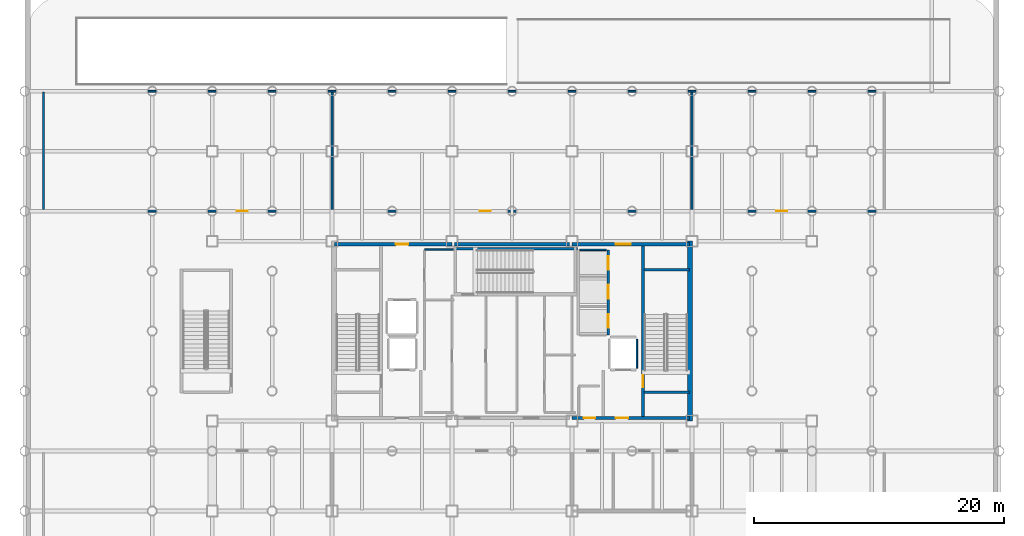
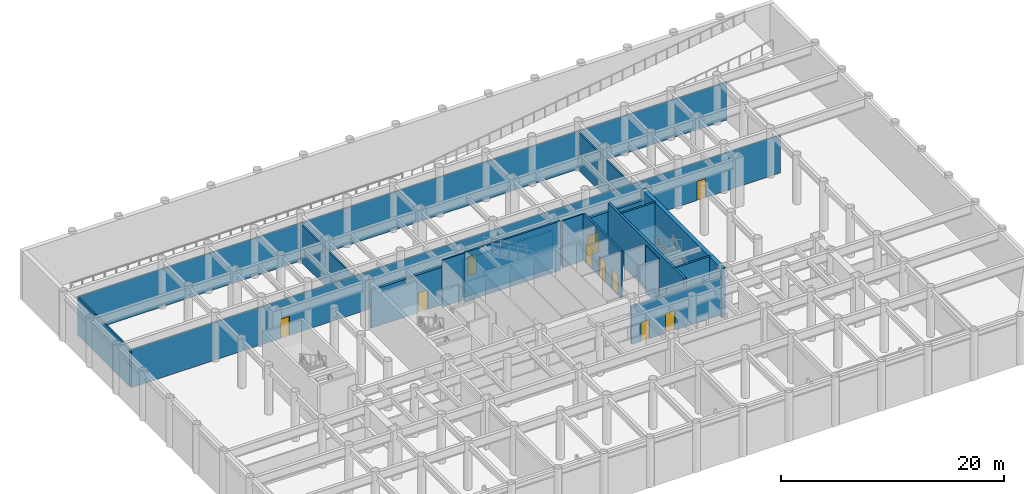
# One storey, part 11 of 16: 18 walls, 11 doors, 11 openings.
"""IFC4 building model written with IfcOpenShell, lengths in metres."""

from ifc_helpers import new_model, si_unit, direction, frame, frame_2d, origin, place, context, subcontext, project, spatial, rectangle, extrude, material, layer, layer_set, type_object, element, fill, save


model = new_model("IFC4")

# Units and contexts
model_context = context("Model", 3, precision=1e-05, world=origin(), true_north=direction((0.0, 1.0)))
body_context = subcontext(model_context, "Body", "Model", "MODEL_VIEW")
ifc_project = project(units=[si_unit("LENGTHUNIT", "METRE"), si_unit("AREAUNIT", "SQUARE_METRE"), si_unit("VOLUMEUNIT", "CUBIC_METRE"), si_unit("PLANEANGLEUNIT", "RADIAN"), si_unit("MASSUNIT", "GRAM", prefix="KILO")], contexts=[model_context])

# Site, building, storey
site_placement = place(None, origin())
site = spatial("IfcSite", under=ifc_project, at=site_placement, CompositionType="ELEMENT")
building_placement = place(site_placement, origin())
building = spatial("IfcBuilding", under=site, at=building_placement, Name="Kallvorn Hotel Tower", CompositionType="ELEMENT")
storey_placement = place(building_placement, frame((0.0, 0.0, -5.39990234375)))
storey = spatial("IfcBuildingStorey", under=building, at=storey_placement, Name="B1", CompositionType="ELEMENT", Elevation=-5.39990234375)

# Walls
ifc_material_1 = material(Name="Concrete C50/60", Category="concrete")
ifc_layer_1 = layer(ifc_material_1, 0.39990234375)
ifc_layer_set_1 = layer_set([ifc_layer_1], Name="WL_CORE_400")
wall_type_1 = type_object("IfcWallType", Name="WL_CORE_400", PredefinedType="SHEAR", material=ifc_layer_set_1)
wall_1_placement = place(storey_placement, frame((14.264892578125, -7.199951171875, -0.25), z_axis=(0.0, 0.0, 1.0), x_axis=(0.0, 1.0, 0.0)))
element("IfcWall", 1, at=wall_1_placement, inside=storey, type_object=wall_type_1, Name="B1 Core East Shear Wall", PredefinedType="SHEAR", context=body_context, shape_type="SweptSolid", body=[
    extrude(rectangle(XDim=14.39990234375, YDim=0.39990234375, at=frame_2d((7.199951171875, 0.0))), origin(), (0.0, 0.0, 1.0), 5.39990234375),
])
ifc_material_2 = material(Name="Concrete C40/50", Category="concrete")
ifc_layer_2 = layer(ifc_material_2, 0.199951171875)
ifc_layer_set_2 = layer_set([ifc_layer_2], Name="WL_HOIST_200")
wall_type_2 = type_object("IfcWallType", Name="WL_HOIST_200", PredefinedType="SOLIDWALL", material=ifc_layer_set_2)
for number, where, z_axis, x_axis, name in (
    (2, (10.550048828125, -4.89990234375, -0.25), (0.0, 0.0, 1.0), (1.0, 0.0, 0.0), "B1 Stair ST2 South Wall"),
    (3, (10.550048828125, 4.89990234375, -0.25), (0.0, 0.0, 1.0), (1.0, 0.0, 0.0), "B1 Stair ST2 North Wall"),
):
    element("IfcWall", number, at=place(storey_placement, frame(where, z_axis=z_axis, x_axis=x_axis)), inside=storey, type_object=wall_type_2, Name=name, PredefinedType="SOLIDWALL", context=body_context, shape_type="SweptSolid", body=[
        extrude(rectangle(XDim=3.64990234375, YDim=0.199951171875, at=frame_2d((1.824951171875, 0.0))), origin(), (0.0, 0.0, 1.0), 5.39990234375),
    ])
wall_2_placement = place(storey_placement, frame((-4.64990234375, 6.610107421875, -0.25), z_axis=(0.0, 0.0, 1.0), x_axis=(1.0, 0.0, 0.0)))
element("IfcWall", 4, at=wall_2_placement, inside=storey, type_object=wall_type_2, Name="B1 Stair ST3 Shaft North Wall", PredefinedType="SOLIDWALL", context=body_context, shape_type="SweptSolid", body=[
    extrude(rectangle(XDim=9.89990234375, YDim=0.199951171875, at=frame_2d((4.949951171875, 0.0))), origin(), (0.0, 0.0, 1.0), 5.39990234375),
])

# Wall, openings, doors
wall_3_placement = place(storey_placement, frame((7.699951171875, -0.300048828125, 0.0), z_axis=(0.0, 0.0, 1.0), x_axis=(0.0, 1.0, 0.0)))
wall_3 = element("IfcWall", 5, at=wall_3_placement, inside=storey, type_object=wall_type_2, Name="B1 Lift Bank OBS Landing Wall", PredefinedType="SOLIDWALL", context=body_context, shape_type="SweptSolid", body=[
    extrude(rectangle(XDim=6.800048828125, YDim=0.199951171875, at=frame_2d((3.39990234375, 0.0))), origin(), (0.0, 0.0, 1.0), 5.14990234375),
])
opening_1_placement = place(wall_3_placement, frame((0.550048828125, 0.0, 0.0)))
opening_1 = element("IfcOpeningElement", 6, at=opening_1_placement, cuts=wall_3, Name="Opening LD-OB-01", PredefinedType="OPENING", context=body_context, shape_type="SweptSolid", body=[
    extrude(rectangle(XDim=1.10009765625, YDim=2.199951171875, at=frame_2d((0.550048828125, 1.10009765625))), frame((0.0, 0.114990234375, 0.0), z_axis=(0.0, -1.0, 0.0), x_axis=(1.0, 0.0, 0.0)), (0.0, 0.0, 1.0), 0.22998046875),
])
opening_2_placement = place(wall_3_placement, frame((2.89990234375, 0.0, 0.0)))
opening_2 = element("IfcOpeningElement", 7, at=opening_2_placement, cuts=wall_3, Name="Opening LD-OB-02", PredefinedType="OPENING", context=body_context, shape_type="SweptSolid", body=[
    extrude(rectangle(XDim=1.10009765625, YDim=2.199951171875, at=frame_2d((0.550048828125, 1.10009765625))), frame((0.0, 0.114990234375, 0.0), z_axis=(0.0, -1.0, 0.0), x_axis=(1.0, 0.0, 0.0)), (0.0, 0.0, 1.0), 0.22998046875),
])
opening_3_placement = place(wall_3_placement, frame((5.199951171875, 0.0, 0.0)))
opening_3 = element("IfcOpeningElement", 8, at=opening_3_placement, cuts=wall_3, Name="Opening LD-OB-03", PredefinedType="OPENING", context=body_context, shape_type="SweptSolid", body=[
    extrude(rectangle(XDim=1.10009765625, YDim=2.199951171875, at=frame_2d((0.550048828125, 1.10009765625))), frame((0.0, 0.114990234375, 0.0), z_axis=(0.0, -1.0, 0.0), x_axis=(1.0, 0.0, 0.0)), (0.0, 0.0, 1.0), 0.22998046875),
])
ifc_material_3 = material(Name="Brushed stainless-steel automatic sliding lift landing door", Category="steel")
door_type_1 = type_object("IfcDoorType", Name="LD_PASS_1100x2200", OperationType="SLIDING_TO_LEFT", PredefinedType="DOOR", material=ifc_material_3)
door_1_placement = place(opening_1_placement, origin())
door_1 = element("IfcDoor", 9, at=door_1_placement, inside=storey, type_object=door_type_1, Name="B1 Lift Landing Sliding Door LD-OB-01", OperationType="SLIDING_TO_LEFT", OverallHeight=2.199951171875, OverallWidth=1.10009765625, PredefinedType="DOOR", context=body_context, shape_type="SweptSolid", body=[
    extrude(rectangle(XDim=1.10009765625, YDim=2.199951171875, at=frame_2d((0.550048828125, 1.10009765625))), frame((0.0, 0.02490234375, 0.0), z_axis=(0.0, -1.0, 0.0), x_axis=(1.0, 0.0, 0.0)), (0.0, 0.0, 1.0), 0.050048828125),
])
fill(opening_1, door_1)
door_2_placement = place(opening_2_placement, origin())
door_2 = element("IfcDoor", 10, at=door_2_placement, inside=storey, type_object=door_type_1, Name="B1 Lift Landing Sliding Door LD-OB-02", OperationType="SLIDING_TO_LEFT", OverallHeight=2.199951171875, OverallWidth=1.10009765625, PredefinedType="DOOR", context=body_context, shape_type="SweptSolid", body=[
    extrude(rectangle(XDim=1.10009765625, YDim=2.199951171875, at=frame_2d((0.550048828125, 1.10009765625))), frame((0.0, 0.02490234375, 0.0), z_axis=(0.0, -1.0, 0.0), x_axis=(1.0, 0.0, 0.0)), (0.0, 0.0, 1.0), 0.050048828125),
])
fill(opening_2, door_2)
door_3_placement = place(opening_3_placement, origin())
door_3 = element("IfcDoor", 11, at=door_3_placement, inside=storey, type_object=door_type_1, Name="B1 Lift Landing Sliding Door LD-OB-03", OperationType="SLIDING_TO_LEFT", OverallHeight=2.199951171875, OverallWidth=1.10009765625, PredefinedType="DOOR", context=body_context, shape_type="SweptSolid", body=[
    extrude(rectangle(XDim=1.10009765625, YDim=2.199951171875, at=frame_2d((0.550048828125, 1.10009765625))), frame((0.0, 0.02490234375, 0.0), z_axis=(0.0, -1.0, 0.0), x_axis=(1.0, 0.0, 0.0)), (0.0, 0.0, 1.0), 0.050048828125),
])
fill(opening_3, door_3)

# Walls
ifc_material_4 = material(Name="Fire-rated double-layer acoustic gypsum drywall EI 60")
ifc_layer_3 = layer(ifc_material_4, 0.1201171875)
ifc_layer_set_3 = layer_set([ifc_layer_3], Name="WL_INT_120")
wall_type_3 = type_object("IfcWallType", Name="WL_INT_120", PredefinedType="PARTITIONING", material=ifc_layer_set_3)
wall_4_placement = place(storey_placement, frame((5.43994140625, 6.5, 0.0), z_axis=(0.0, 0.0, 1.0), x_axis=(1.0, 0.0, 0.0)))
element("IfcWall", 12, at=wall_4_placement, inside=storey, type_object=wall_type_3, Name="B1 OB-03 Hoistway Divider", PredefinedType="PARTITIONING", context=body_context, shape_type="SweptSolid", body=[
    extrude(rectangle(XDim=2.1201171875, YDim=0.1201171875, at=frame_2d((1.06005859375, 0.0))), origin(), (0.0, 0.0, 1.0), 5.14990234375),
])
wall_5_placement = place(storey_placement, frame((10.0, -2.9599609375, 0.0), z_axis=(0.0, 0.0, 1.0), x_axis=(0.0, 1.0, 0.0)))
element("IfcWall", 13, at=wall_5_placement, inside=storey, type_object=wall_type_3, Name="B1 FL-2 East Shaft Wall", PredefinedType="PARTITIONING", context=body_context, shape_type="SweptSolid", body=[
    extrude(rectangle(XDim=2.320068359375, YDim=0.1201171875, at=frame_2d((1.16015625, 0.0))), origin(), (0.0, 0.0, 1.0), 5.14990234375),
])
wall_6_placement = place(storey_placement, frame((-7.0, 6.550048828125, 0.0), z_axis=(0.0, 0.0, 1.0), x_axis=(1.0, 0.0, 0.0)))
element("IfcWall", 14, at=wall_6_placement, inside=storey, type_object=wall_type_3, Name="B1 Basement Core Cleaners Store Partition", PredefinedType="PARTITIONING", context=body_context, shape_type="SweptSolid", body=[
    extrude(rectangle(XDim=2.31005859375, YDim=0.1201171875, at=frame_2d((1.155029296875, 0.0))), origin(), (0.0, 0.0, 1.0), 5.14990234375),
])

# Wall, openings, doors
ifc_material_5 = material(Name="Fire-rated double-layer acoustic gypsum drywall EI 60")
ifc_layer_4 = layer(ifc_material_5, 0.14990234375)
ifc_layer_set_4 = layer_set([ifc_layer_4], Name="WL_PART_150")
wall_type_4 = type_object("IfcWallType", Name="WL_PART_150", PredefinedType="PARTITIONING", material=ifc_layer_set_4)
wall_7_placement = place(storey_placement, frame((-37.5, 9.60009765625, 0.0), z_axis=(0.0, 0.0, 1.0), x_axis=(1.0, 0.0, 0.0)))
wall_7 = element("IfcWall", 15, at=wall_7_placement, inside=storey, type_object=wall_type_4, Name="B1 Secured Cycle Store (56 Bicycle Racks) Partition", PredefinedType="PARTITIONING", context=body_context, shape_type="SweptSolid", body=[
    extrude(rectangle(XDim=67.300048828125, YDim=0.14990234375, at=frame_2d((33.64990234375, 0.0))), origin(), (0.0, 0.0, 1.0), 4.14990234375),
])
opening_4_placement = place(wall_7_placement, frame((15.449951171875, 0.0, 0.0)))
opening_4 = element("IfcOpeningElement", 16, at=opening_4_placement, cuts=wall_7, Name="Opening SVD1", PredefinedType="OPENING", context=body_context, shape_type="SweptSolid", body=[
    extrude(rectangle(XDim=0.89990234375, YDim=2.10009765625, at=frame_2d((0.449951171875, 1.050048828125))), frame((0.0, 0.08984375, 0.0), z_axis=(0.0, -1.0, 0.0), x_axis=(1.0, 0.0, 0.0)), (0.0, 0.0, 1.0), 0.179931640625),
])
opening_5_placement = place(wall_7_placement, frame((34.901611328125, 0.0, 0.0)))
opening_5 = element("IfcOpeningElement", 17, at=opening_5_placement, cuts=wall_7, Name="Opening SVD1", PredefinedType="OPENING", context=body_context, shape_type="SweptSolid", body=[
    extrude(rectangle(XDim=0.89990234375, YDim=2.10009765625, at=frame_2d((0.449951171875, 1.050048828125))), frame((0.0, 0.08984375, 0.0), z_axis=(0.0, -1.0, 0.0), x_axis=(1.0, 0.0, 0.0)), (0.0, 0.0, 1.0), 0.179931640625),
])
opening_6_placement = place(wall_7_placement, frame((58.64990234375, 0.0, 0.0)))
opening_6 = element("IfcOpeningElement", 18, at=opening_6_placement, cuts=wall_7, Name="Opening SVD1", PredefinedType="OPENING", context=body_context, shape_type="SweptSolid", body=[
    extrude(rectangle(XDim=0.89990234375, YDim=2.10009765625, at=frame_2d((0.449951171875, 1.050048828125))), frame((0.0, 0.08984375, 0.0), z_axis=(0.0, -1.0, 0.0), x_axis=(1.0, 0.0, 0.0)), (0.0, 0.0, 1.0), 0.179931640625),
])
ifc_material_6 = material(Name="Galvanised painted steel fire-rated door assembly", Category="steel")
door_type_2 = type_object("IfcDoorType", Name="DR_SERV_900x2100", OperationType="NOTDEFINED", PredefinedType="DOOR", material=ifc_material_6)
door_4_placement = place(opening_4_placement, origin())
door_4 = element("IfcDoor", 19, at=door_4_placement, inside=storey, type_object=door_type_2, Name="B1 Secured Cycle Store (56 Bicycle Racks) Door", OperationType="SINGLE_SWING_RIGHT", OverallHeight=2.10009765625, OverallWidth=0.89990234375, PredefinedType="DOOR", context=body_context, shape_type="SweptSolid", body=[
    extrude(rectangle(XDim=0.89990234375, YDim=2.10009765625, at=frame_2d((0.449951171875, 1.050048828125))), frame((0.0, 0.02490234375, 0.0), z_axis=(0.0, -1.0, 0.0), x_axis=(1.0, 0.0, 0.0)), (0.0, 0.0, 1.0), 0.050048828125),
])
fill(opening_4, door_4)
door_5_placement = place(opening_5_placement, origin())
door_5 = element("IfcDoor", 20, at=door_5_placement, inside=storey, type_object=door_type_2, Name="B1 Housekeeping Bulk Linen and Furniture Store Door", OperationType="SINGLE_SWING_LEFT", OverallHeight=2.10009765625, OverallWidth=0.89990234375, PredefinedType="DOOR", context=body_context, shape_type="SweptSolid", body=[
    extrude(rectangle(XDim=0.89990234375, YDim=2.10009765625, at=frame_2d((0.449951171875, 1.050048828125))), frame((0.0, 0.02490234375, 0.0), z_axis=(0.0, -1.0, 0.0), x_axis=(1.0, 0.0, 0.0)), (0.0, 0.0, 1.0), 0.050048828125),
])
fill(opening_5, door_5)
door_6_placement = place(opening_6_placement, origin())
door_6 = element("IfcDoor", 21, at=door_6_placement, inside=storey, type_object=door_type_2, Name="B1 Staff Canteen Dining Hall Door", OperationType="SINGLE_SWING_LEFT", OverallHeight=2.10009765625, OverallWidth=0.89990234375, PredefinedType="DOOR", context=body_context, shape_type="SweptSolid", body=[
    extrude(rectangle(XDim=0.89990234375, YDim=2.10009765625, at=frame_2d((0.449951171875, 1.050048828125))), frame((0.0, 0.02490234375, 0.0), z_axis=(0.0, -1.0, 0.0), x_axis=(1.0, 0.0, 0.0)), (0.0, 0.0, 1.0), 0.050048828125),
])
fill(opening_6, door_6)

# Walls
wall_8_placement = place(storey_placement, frame((-37.5, 19.199951171875, 0.0), z_axis=(0.0, 0.0, 1.0), x_axis=(1.0, 0.0, 0.0)))
element("IfcWall", 22, at=wall_8_placement, inside=storey, type_object=wall_type_4, Name="B1 Secured Cycle Store (56 Bicycle Racks) Partition", PredefinedType="PARTITIONING", context=body_context, shape_type="SweptSolid", body=[
    extrude(rectangle(XDim=67.300048828125, YDim=0.14990234375, at=frame_2d((33.64990234375, 0.0))), origin(), (0.0, 0.0, 1.0), 4.14990234375),
])
for number, where, z_axis, x_axis, name in (
    (23, (-37.5, 9.75, 0.0), (0.0, 0.0, 1.0), (0.0, 1.0, 0.0), "B1 Secured Cycle Store (56 Bicycle Racks) Partition"),
    (24, (-14.39990234375, 9.75, 0.0), (0.0, 0.0, 1.0), (0.0, 1.0, 0.0), "B1 Housekeeping Bulk Linen and Furniture Store Partition"),
    (25, (14.39990234375, 9.75, 0.0), (0.0, 0.0, 1.0), (0.0, 1.0, 0.0), "B1 Housekeeping Bulk Linen and Furniture Store Partition"),
):
    element("IfcWall", number, at=place(storey_placement, frame(where, z_axis=z_axis, x_axis=x_axis)), inside=storey, type_object=wall_type_4, Name=name, PredefinedType="PARTITIONING", context=body_context, shape_type="SweptSolid", body=[
        extrude(rectangle(XDim=9.35009765625, YDim=0.14990234375, at=frame_2d((4.675048828125, 0.0))), origin(), (0.0, 0.0, 1.0), 4.14990234375),
    ])

# Wall, openings, doors
ifc_material_7 = material(Name="Concrete C40/50", Category="concrete")
ifc_layer_5 = layer(ifc_material_7, 0.25)
ifc_layer_set_5 = layer_set([ifc_layer_5], Name="WL_SHAFT_250")
wall_type_5 = type_object("IfcWallType", Name="WL_SHAFT_250", PredefinedType="SOLIDWALL", material=ifc_layer_set_5)
wall_9_placement = place(storey_placement, frame((4.800048828125, -6.949951171875, 0.0), z_axis=(0.0, 0.0, 1.0), x_axis=(1.0, 0.0, 0.0)))
wall_9 = element("IfcWall", 26, at=wall_9_placement, inside=storey, type_object=wall_type_5, Name="B1 Core South-East Wall", PredefinedType="SOLIDWALL", context=body_context, shape_type="SweptSolid", body=[
    extrude(rectangle(XDim=9.39990234375, YDim=0.25, at=frame_2d((4.699951171875, 0.0))), origin(), (0.0, 0.0, 1.0), 4.14990234375),
])
opening_7_placement = place(wall_9_placement, frame((3.5, 0.0, 0.0)))
opening_7 = element("IfcOpeningElement", 27, at=opening_7_placement, cuts=wall_9, Name="Opening FD1", PredefinedType="OPENING", context=body_context, shape_type="SweptSolid", body=[
    extrude(rectangle(XDim=1.0, YDim=2.14990234375, at=frame_2d((0.5, 1.074951171875))), frame((0.0, 0.139892578125, 0.0), z_axis=(0.0, -1.0, 0.0), x_axis=(1.0, 0.0, 0.0)), (0.0, 0.0, 1.0), 0.280029296875),
])
opening_8_placement = place(wall_9_placement, frame((0.949951171875, 0.0, 0.0)))
opening_8 = element("IfcOpeningElement", 28, at=opening_8_placement, cuts=wall_9, Name="Opening SVD1", PredefinedType="OPENING", context=body_context, shape_type="SweptSolid", body=[
    extrude(rectangle(XDim=0.89990234375, YDim=2.10009765625, at=frame_2d((0.449951171875, 1.050048828125))), frame((0.0, 0.139892578125, 0.0), z_axis=(0.0, -1.0, 0.0), x_axis=(1.0, 0.0, 0.0)), (0.0, 0.0, 1.0), 0.280029296875),
])
ifc_material_8 = material(Name="Galvanised painted steel fire-rated door assembly", Category="steel")
door_type_3 = type_object("IfcDoorType", Name="DR_FFL_1000x2150", OperationType="NOTDEFINED", PredefinedType="DOOR", material=ifc_material_8)
door_7_placement = place(opening_7_placement, origin())
door_7 = element("IfcDoor", 29, at=door_7_placement, inside=storey, type_object=door_type_3, Name="B1 Firefighting Lobby East Door", OperationType="SINGLE_SWING_RIGHT", OverallHeight=2.14990234375, OverallWidth=1.0, PredefinedType="DOOR", context=body_context, shape_type="SweptSolid", body=[
    extrude(rectangle(XDim=1.0, YDim=2.14990234375, at=frame_2d((0.5, 1.074951171875))), frame((0.0, 0.02490234375, 0.0), z_axis=(0.0, -1.0, 0.0), x_axis=(1.0, 0.0, 0.0)), (0.0, 0.0, 1.0), 0.050048828125),
])
fill(opening_7, door_7)
door_8_placement = place(opening_8_placement, origin())
door_8 = element("IfcDoor", 30, at=door_8_placement, inside=storey, type_object=door_type_2, Name="B1 Core Staff Restroom WC Door", OperationType="SINGLE_SWING_LEFT", OverallHeight=2.10009765625, OverallWidth=0.89990234375, PredefinedType="DOOR", context=body_context, shape_type="SweptSolid", body=[
    extrude(rectangle(XDim=0.89990234375, YDim=2.10009765625, at=frame_2d((0.449951171875, 1.050048828125))), frame((0.0, 0.02490234375, 0.0), z_axis=(0.0, -1.0, 0.0), x_axis=(1.0, 0.0, 0.0)), (0.0, 0.0, 1.0), 0.050048828125),
])
fill(opening_8, door_8)

# Wall, opening, door
wall_10_placement = place(storey_placement, frame((-14.199951171875, 6.949951171875, 0.0), z_axis=(0.0, 0.0, 1.0), x_axis=(1.0, 0.0, 0.0)))
wall_10 = element("IfcWall", 31, at=wall_10_placement, inside=storey, type_object=wall_type_5, Name="B1 Core North-West Wall", PredefinedType="SOLIDWALL", context=body_context, shape_type="SweptSolid", body=[
    extrude(rectangle(XDim=9.39990234375, YDim=0.25, at=frame_2d((4.699951171875, 0.0))), origin(), (0.0, 0.0, 1.0), 4.14990234375),
])
opening_9_placement = place(wall_10_placement, frame((4.89990234375, 0.0, 0.0)))
opening_9 = element("IfcOpeningElement", 32, at=opening_9_placement, cuts=wall_10, Name="Opening FD1", PredefinedType="OPENING", context=body_context, shape_type="SweptSolid", body=[
    extrude(rectangle(XDim=1.0, YDim=2.14990234375, at=frame_2d((0.5, 1.074951171875))), frame((0.0, 0.139892578125, 0.0), z_axis=(0.0, -1.0, 0.0), x_axis=(1.0, 0.0, 0.0)), (0.0, 0.0, 1.0), 0.280029296875),
])
door_9_placement = place(opening_9_placement, origin())
door_9 = element("IfcDoor", 33, at=door_9_placement, inside=storey, type_object=door_type_3, Name="B1 Service Lift Lobby Door", OperationType="SINGLE_SWING_LEFT", OverallHeight=2.14990234375, OverallWidth=1.0, PredefinedType="DOOR", context=body_context, shape_type="SweptSolid", body=[
    extrude(rectangle(XDim=1.0, YDim=2.14990234375, at=frame_2d((0.5, 1.074951171875))), frame((0.0, 0.02490234375, 0.0), z_axis=(0.0, -1.0, 0.0), x_axis=(1.0, 0.0, 0.0)), (0.0, 0.0, 1.0), 0.050048828125),
])
fill(opening_9, door_9)

# Wall
wall_11_placement = place(storey_placement, frame((-4.60009765625, 6.949951171875, 0.0), z_axis=(0.0, 0.0, 1.0), x_axis=(1.0, 0.0, 0.0)))
element("IfcWall", 34, at=wall_11_placement, inside=storey, type_object=wall_type_5, Name="B1 Core North-Central Wall", PredefinedType="SOLIDWALL", context=body_context, shape_type="SweptSolid", body=[
    extrude(rectangle(XDim=9.2001953125, YDim=0.25, at=frame_2d((4.60009765625, 0.0))), origin(), (0.0, 0.0, 1.0), 4.14990234375),
])

# Wall, opening, door
wall_12_placement = place(storey_placement, frame((4.800048828125, 6.949951171875, 0.0), z_axis=(0.0, 0.0, 1.0), x_axis=(1.0, 0.0, 0.0)))
wall_12 = element("IfcWall", 35, at=wall_12_placement, inside=storey, type_object=wall_type_5, Name="B1 Core North-East Wall", PredefinedType="SOLIDWALL", context=body_context, shape_type="SweptSolid", body=[
    extrude(rectangle(XDim=9.39990234375, YDim=0.25, at=frame_2d((4.699951171875, 0.0))), origin(), (0.0, 0.0, 1.0), 4.14990234375),
])
opening_10_placement = place(wall_12_placement, frame((3.5, 0.0, 0.0)))
opening_10 = element("IfcOpeningElement", 36, at=opening_10_placement, cuts=wall_12, Name="Opening FD2", PredefinedType="OPENING", context=body_context, shape_type="SweptSolid", body=[
    extrude(rectangle(XDim=1.199951171875, YDim=2.199951171875, at=frame_2d((0.60009765625, 1.10009765625))), frame((0.0, 0.139892578125, 0.0), z_axis=(0.0, -1.0, 0.0), x_axis=(1.0, 0.0, 0.0)), (0.0, 0.0, 1.0), 0.280029296875),
])
ifc_material_9 = material(Name="Galvanised painted steel fire-rated door assembly", Category="steel")
door_type_4 = type_object("IfcDoorType", Name="DR_LOBBY_1200x2200", OperationType="DOUBLE_DOOR_SINGLE_SWING", PredefinedType="DOOR", material=ifc_material_9)
door_10_placement = place(opening_10_placement, origin())
door_10 = element("IfcDoor", 37, at=door_10_placement, inside=storey, type_object=door_type_4, Name="B1 Observatory Shuttle Lobby Door", OperationType="DOUBLE_DOOR_SINGLE_SWING", OverallHeight=2.199951171875, OverallWidth=1.199951171875, PredefinedType="DOOR", context=body_context, shape_type="SweptSolid", body=[
    extrude(rectangle(XDim=1.199951171875, YDim=2.199951171875, at=frame_2d((0.60009765625, 1.10009765625))), frame((0.0, 0.02490234375, 0.0), z_axis=(0.0, -1.0, 0.0), x_axis=(1.0, 0.0, 0.0)), (0.0, 0.0, 1.0), 0.050048828125),
])
fill(opening_10, door_10)

wall_13_placement = place(storey_placement, frame((10.5, -6.820068359375, -0.25), z_axis=(0.0, 0.0, 1.0), x_axis=(0.0, 1.0, 0.0)))
wall_13 = element("IfcWall", 38, at=wall_13_placement, inside=storey, type_object=wall_type_5, Name="B1 Stair ST2 Shaft Wall", PredefinedType="SOLIDWALL", context=body_context, shape_type="SweptSolid", body=[
    extrude(rectangle(XDim=13.64013671875, YDim=0.25, at=frame_2d((6.820068359375, 0.0))), origin(), (0.0, 0.0, 1.0), 5.39990234375),
])
opening_11_placement = place(wall_13_placement, frame((2.320068359375, 0.0, 0.25)))
opening_11 = element("IfcOpeningElement", 39, at=opening_11_placement, cuts=wall_13, Name="Opening SD1", PredefinedType="OPENING", context=body_context, shape_type="SweptSolid", body=[
    extrude(rectangle(XDim=0.949951171875, YDim=2.14990234375, at=frame_2d((0.47509765625, 1.074951171875))), frame((0.0, 0.139892578125, 0.0), z_axis=(0.0, -1.0, 0.0), x_axis=(1.0, 0.0, 0.0)), (0.0, 0.0, 1.0), 0.280029296875),
])
ifc_material_10 = material(Name="Galvanised painted steel fire-rated door assembly", Category="steel")
door_type_5 = type_object("IfcDoorType", Name="DR_STAIR_950x2150", OperationType="NOTDEFINED", PredefinedType="DOOR", material=ifc_material_10)
door_11_placement = place(opening_11_placement, origin())
door_11 = element("IfcDoor", 40, at=door_11_placement, inside=storey, type_object=door_type_5, Name="B1 Exit Stair ST2 Fire Door", OperationType="SINGLE_SWING_RIGHT", OverallHeight=2.14990234375, OverallWidth=0.949951171875, PredefinedType="DOOR", context=body_context, shape_type="SweptSolid", body=[
    extrude(rectangle(XDim=0.949951171875, YDim=2.14990234375, at=frame_2d((0.47509765625, 1.074951171875))), frame((0.0, 0.02490234375, 0.0), z_axis=(0.0, -1.0, 0.0), x_axis=(1.0, 0.0, 0.0)), (0.0, 0.0, 1.0), 0.050048828125),
])
fill(opening_11, door_11)

save(model, "model.ifc")
